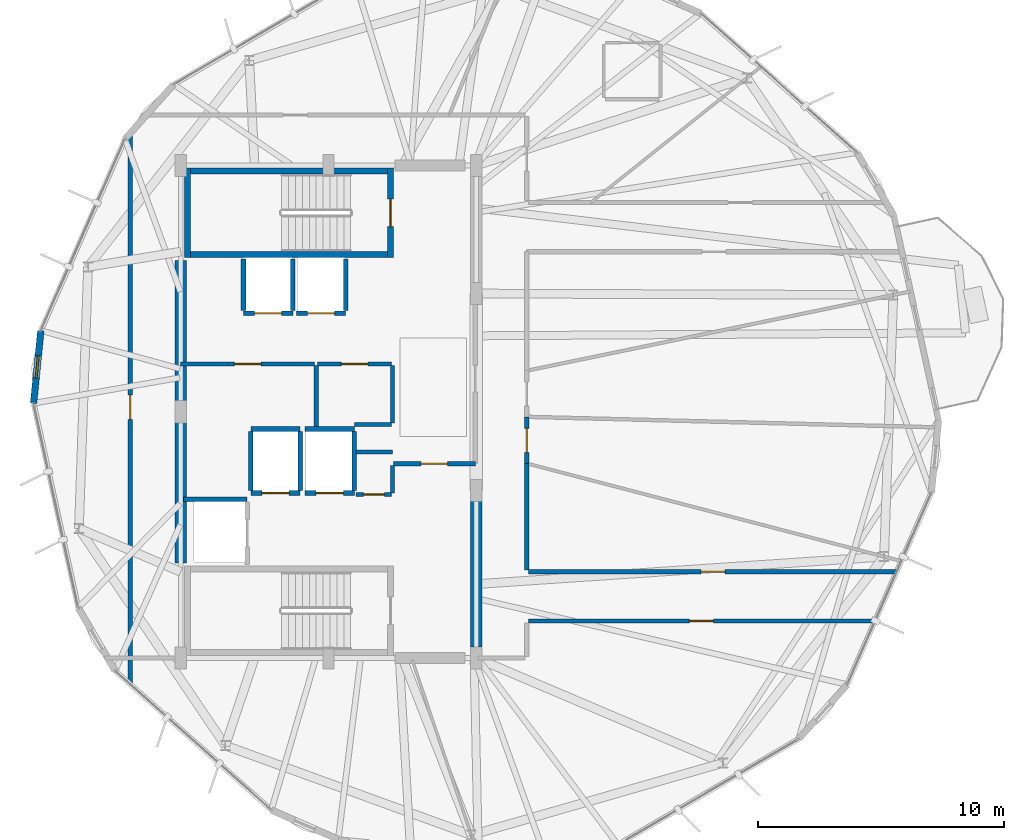
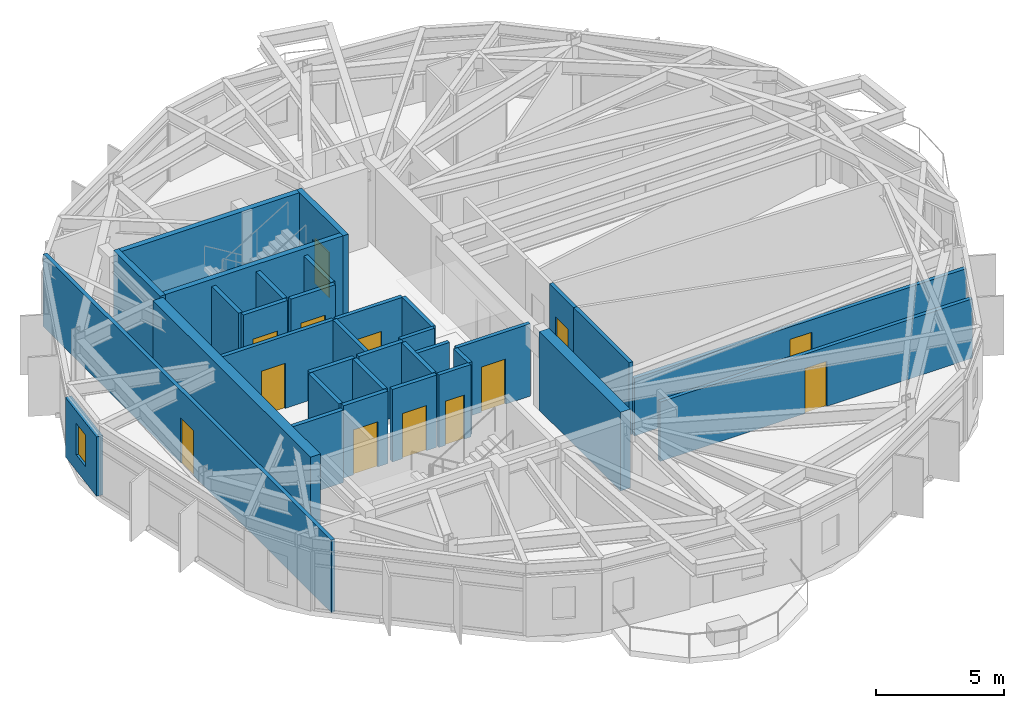
# One storey, part 20 of 25: 34 walls, 13 doors, 1 window, 14 openings.
"""IFC4 building model written with IfcOpenShell, lengths in metres."""

from ifc_helpers import new_model, si_unit, direction, frame, frame_2d, origin, place, context, subcontext, project, spatial, rectangle, extrude, material, layer, layer_set, type_object, element, fill, save


model = new_model("IFC4")

# Units and contexts
model_context = context("Model", 3, precision=1e-05, world=origin(), true_north=direction((0.0, 1.0)))
body_context = subcontext(model_context, "Body", "Model", "MODEL_VIEW")
ifc_project = project(units=[si_unit("LENGTHUNIT", "METRE"), si_unit("AREAUNIT", "SQUARE_METRE"), si_unit("VOLUMEUNIT", "CUBIC_METRE"), si_unit("PLANEANGLEUNIT", "RADIAN"), si_unit("MASSUNIT", "GRAM", prefix="KILO")], contexts=[model_context])

# Site, building, storey
site_placement = place(None, origin())
site = spatial("IfcSite", under=ifc_project, at=site_placement, CompositionType="ELEMENT")
building_placement = place(site_placement, origin())
building = spatial("IfcBuilding", under=site, at=building_placement, Name="Soratama Intermodal Tower", CompositionType="ELEMENT")
storey_placement = place(building_placement, frame((0.0, 0.0, 276.25)))
storey = spatial("IfcBuildingStorey", under=building, at=storey_placement, Name="L70", CompositionType="ELEMENT", Elevation=276.25)

# Wall, opening, window
ifc_material_1 = material(Name="Concrete f'c 42 MPa", Category="concrete")
ifc_layer_1 = layer(ifc_material_1, 0.27001953125)
ifc_layer_set_1 = layer_set([ifc_layer_1], Name="Concrete f'c 42 MPa")
wall_type_1 = type_object("IfcWallType", Name="EW-CRN-270", PredefinedType="SOLIDWALL", material=ifc_layer_set_1)
wall_1_placement = place(storey_placement, frame((26.919921875, 28.29541015625, 0.0), z_axis=(0.0, 0.0, 1.0), x_axis=(-0.099332604759, -0.995054286776, 0.0)))
wall_1 = element("IfcWall", 1, at=wall_1_placement, inside=storey, type_object=wall_type_1, Name="L70 Corner Closure Wall 03", PredefinedType="SOLIDWALL", context=body_context, shape_type="SweptSolid", body=[
    extrude(rectangle(XDim=2.966552734375, YDim=0.27001953125, at=frame_2d((1.4833984375, 0.0))), origin(), (0.0, 0.0, 1.0), 2.8291015625),
])
opening_1_placement = place(wall_1_placement, frame((1.033203125, 0.0, 0.75)))
opening_1 = element("IfcOpeningElement", 2, at=opening_1_placement, cuts=wall_1, Name="Opening WN-6", PredefinedType="OPENING", context=body_context, shape_type="SweptSolid", body=[
    extrude(rectangle(XDim=0.89990234375, YDim=1.5, at=frame_2d((0.449951171875, 0.75))), frame((0.0, 0.14501953125, 0.0), z_axis=(0.0, -1.0, 0.0), x_axis=(1.0, 0.0, 0.0)), (0.0, 0.0, 1.0), 0.2900390625),
])
ifc_material_2 = material(Name="Double-glazed aluminium window", Category="aluminium")
window_type = type_object("IfcWindowType", Name="WN-FAC-900", PartitioningType="SINGLE_PANEL", PredefinedType="WINDOW", material=ifc_material_2)
window_placement = place(opening_1_placement, origin())
window = element("IfcWindow", 3, at=window_placement, inside=storey, type_object=window_type, Name="L70 Corner Window 03", OverallHeight=1.5, OverallWidth=0.89990234375, PartitioningType="SINGLE_PANEL", PredefinedType="WINDOW", context=body_context, shape_type="SweptSolid", body=[
    extrude(rectangle(XDim=0.89990234375, YDim=1.5, at=frame_2d((0.449951171875, 0.75))), frame((0.0, 0.030029296875, 0.0), z_axis=(0.0, -1.0, 0.0), x_axis=(1.0, 0.0, 0.0)), (0.0, 0.0, 1.0), 0.06005859375),
])
fill(opening_1, window)

# Wall, opening, door
ifc_material_3 = material(Name="Fire-rated gypsum stud partition", Category="concrete")
ifc_layer_2 = layer(ifc_material_3, 0.169921875)
ifc_layer_set_2 = layer_set([ifc_layer_2], Name="Fire-rated gypsum stud partition")
wall_type_2 = type_object("IfcWallType", Name="IW-PART-R170", PredefinedType="PARTITIONING", material=ifc_layer_set_2)
wall_2_placement = place(storey_placement, frame((30.550048828125, 13.927001953125, 0.0), z_axis=(0.0, 0.0, 1.0), x_axis=(0.0, 1.0, 0.0)))
wall_2 = element("IfcWall", 4, at=wall_2_placement, inside=storey, type_object=wall_type_2, Name="L70 Partition W-L70-TP001", PredefinedType="PARTITIONING", context=body_context, shape_type="SweptSolid", body=[
    extrude(rectangle(XDim=22.48388671875, YDim=0.169921875, at=frame_2d((11.241943359375, 0.0))), origin(), (0.0, 0.0, 1.0), 3.449951171875),
])
opening_2_placement = place(wall_2_placement, frame((10.76708984375, 0.0, 0.0)))
opening_2 = element("IfcOpeningElement", 5, at=opening_2_placement, cuts=wall_2, Name="Opening ID-5", PredefinedType="OPENING", context=body_context, shape_type="SweptSolid", body=[
    extrude(rectangle(XDim=0.97998046875, YDim=2.14990234375, at=frame_2d((0.489990234375, 1.074951171875))), frame((0.0, 0.094970703125, 0.0), z_axis=(0.0, -1.0, 0.0), x_axis=(1.0, 0.0, 0.0)), (0.0, 0.0, 1.0), 0.18994140625),
])
ifc_material_4 = material(Name="Solid hardwood acoustic door", Category="wood")
door_type_1 = type_object("IfcDoorType", Name="DR-OFF-980", OperationType="NOTDEFINED", PredefinedType="DOOR", material=ifc_material_4)
door_1_placement = place(opening_2_placement, origin())
door_1 = element("IfcDoor", 6, at=door_1_placement, inside=storey, type_object=door_type_1, Name="L70 Door D-L70-TP001", OperationType="SINGLE_SWING_RIGHT", OverallHeight=2.14990234375, OverallWidth=0.97998046875, PredefinedType="DOOR", context=body_context, shape_type="SweptSolid", body=[
    extrude(rectangle(XDim=0.97998046875, YDim=2.14990234375, at=frame_2d((0.489990234375, 1.074951171875))), frame((0.0, 0.02490234375, 0.0), z_axis=(0.0, -1.0, 0.0), x_axis=(1.0, 0.0, 0.0)), (0.0, 0.0, 1.0), 0.050048828125),
])
fill(opening_2, door_1)

wall_3_placement = place(storey_placement, frame((46.719970703125, 18.5, 0.0), z_axis=(0.0, 0.0, 1.0), x_axis=(1.0, 0.0, 0.0)))
wall_3 = element("IfcWall", 7, at=wall_3_placement, inside=storey, type_object=wall_type_2, Name="L70 Partition W-L70-TP006", PredefinedType="PARTITIONING", context=body_context, shape_type="SweptSolid", body=[
    extrude(rectangle(XDim=14.953125, YDim=0.169921875, at=frame_2d((7.4765625, 0.0))), origin(), (0.0, 0.0, 1.0), 2.7451171875),
])
opening_3_placement = place(wall_3_placement, frame((7.001953125, 0.0, 0.0)))
opening_3 = element("IfcOpeningElement", 8, at=opening_3_placement, cuts=wall_3, Name="Opening ID-5", PredefinedType="OPENING", context=body_context, shape_type="SweptSolid", body=[
    extrude(rectangle(XDim=0.97998046875, YDim=2.14990234375, at=frame_2d((0.489990234375, 1.074951171875))), frame((0.0, 0.094970703125, 0.0), z_axis=(0.0, -1.0, 0.0), x_axis=(1.0, 0.0, 0.0)), (0.0, 0.0, 1.0), 0.18994140625),
])
door_2_placement = place(opening_3_placement, origin())
door_2 = element("IfcDoor", 9, at=door_2_placement, inside=storey, type_object=door_type_1, Name="L70 Door D-L70-TP003", OperationType="SINGLE_SWING_RIGHT", OverallHeight=2.14990234375, OverallWidth=0.97998046875, PredefinedType="DOOR", context=body_context, shape_type="SweptSolid", body=[
    extrude(rectangle(XDim=0.97998046875, YDim=2.14990234375, at=frame_2d((0.489990234375, 1.074951171875))), frame((0.0, 0.02490234375, 0.0), z_axis=(0.0, -1.0, 0.0), x_axis=(1.0, 0.0, 0.0)), (0.0, 0.0, 1.0), 0.050048828125),
])
fill(opening_3, door_2)

wall_4_placement = place(storey_placement, frame((60.794921875, 16.5, 0.0), z_axis=(0.0, 0.0, 1.0), x_axis=(-1.0, 0.0, 0.0)))
wall_4 = element("IfcWall", 10, at=wall_4_placement, inside=storey, type_object=wall_type_2, Name="L70 Partition W-L70-TP007", PredefinedType="PARTITIONING", context=body_context, shape_type="SweptSolid", body=[
    extrude(rectangle(XDim=14.074951171875, YDim=0.169921875, at=frame_2d((7.03759765625, 0.0))), origin(), (0.0, 0.0, 1.0), 2.827880859375),
])
opening_4_placement = place(wall_4_placement, frame((6.56298828125, 0.0, 0.0)))
opening_4 = element("IfcOpeningElement", 11, at=opening_4_placement, cuts=wall_4, Name="Opening ID-5", PredefinedType="OPENING", context=body_context, shape_type="SweptSolid", body=[
    extrude(rectangle(XDim=0.97998046875, YDim=2.14990234375, at=frame_2d((0.489990234375, 1.074951171875))), frame((0.0, 0.094970703125, 0.0), z_axis=(0.0, -1.0, 0.0), x_axis=(1.0, 0.0, 0.0)), (0.0, 0.0, 1.0), 0.18994140625),
])
door_3_placement = place(opening_4_placement, origin())
door_3 = element("IfcDoor", 12, at=door_3_placement, inside=storey, type_object=door_type_1, Name="L70 Door D-L70-TP004", OperationType="SINGLE_SWING_LEFT", OverallHeight=2.14990234375, OverallWidth=0.97998046875, PredefinedType="DOOR", context=body_context, shape_type="SweptSolid", body=[
    extrude(rectangle(XDim=0.97998046875, YDim=2.14990234375, at=frame_2d((0.489990234375, 1.074951171875))), frame((0.0, 0.02490234375, 0.0), z_axis=(0.0, -1.0, 0.0), x_axis=(1.0, 0.0, 0.0)), (0.0, 0.0, 1.0), 0.050048828125),
])
fill(opening_4, door_3)

wall_5_placement = place(storey_placement, frame((38.0400390625, 26.93994140625, 0.0), z_axis=(0.0, 0.0, 1.0), x_axis=(-1.0, 0.0, 0.0)))
wall_5 = element("IfcWall", 13, at=wall_5_placement, inside=storey, type_object=wall_type_2, Name="L70 Partition W-L70-TP014", PredefinedType="PARTITIONING", context=body_context, shape_type="SweptSolid", body=[
    extrude(rectangle(XDim=5.43994140625, YDim=0.169921875, at=frame_2d((2.719970703125, 0.0))), origin(), (0.0, 0.0, 1.0), 3.449951171875),
])
opening_5_placement = place(wall_5_placement, frame((2.179931640625, 0.0, 0.0)))
opening_5 = element("IfcOpeningElement", 14, at=opening_5_placement, cuts=wall_5, Name="Opening ID-1", PredefinedType="OPENING", context=body_context, shape_type="SweptSolid", body=[
    extrude(rectangle(XDim=1.080078125, YDim=2.14990234375, at=frame_2d((0.5400390625, 1.074951171875))), frame((0.0, 0.094970703125, 0.0), z_axis=(0.0, -1.0, 0.0), x_axis=(1.0, 0.0, 0.0)), (0.0, 0.0, 1.0), 0.18994140625),
])
ifc_material_5 = material(Name="Solid hardwood acoustic door", Category="wood")
door_type_2 = type_object("IfcDoorType", Name="DR-LOB-FD60", OperationType="NOTDEFINED", PredefinedType="DOOR", material=ifc_material_5)
door_4_placement = place(opening_5_placement, origin())
door_4 = element("IfcDoor", 15, at=door_4_placement, inside=storey, type_object=door_type_2, Name="L70 Door D-L70-TP008", OperationType="SINGLE_SWING_LEFT", OverallHeight=2.14990234375, OverallWidth=1.080078125, PredefinedType="DOOR", context=body_context, shape_type="SweptSolid", body=[
    extrude(rectangle(XDim=1.080078125, YDim=2.14990234375, at=frame_2d((0.5400390625, 1.074951171875))), frame((0.0, 0.02490234375, 0.0), z_axis=(0.0, -1.0, 0.0), x_axis=(1.0, 0.0, 0.0)), (0.0, 0.0, 1.0), 0.050048828125),
])
fill(opening_5, door_4)

# Wall
wall_6_placement = place(storey_placement, frame((46.64990234375, 22.90087890625, 0.0), z_axis=(0.0, 0.0, 1.0), x_axis=(0.0, -1.0, 0.0)))
element("IfcWall", 16, at=wall_6_placement, inside=storey, type_object=wall_type_2, Name="L70 Partition W-L70-TP016", PredefinedType="PARTITIONING", context=body_context, shape_type="SweptSolid", body=[
    extrude(rectangle(XDim=4.330810546875, YDim=0.169921875, at=frame_2d((2.16552734375, 0.0))), origin(), (0.0, 0.0, 1.0), 3.449951171875),
])

# Wall, opening, door
wall_7_placement = place(storey_placement, frame((41.239990234375, 22.889892578125, 0.0), z_axis=(0.0, 0.0, 1.0), x_axis=(1.0, 0.0, 0.0)))
wall_7 = element("IfcWall", 17, at=wall_7_placement, inside=storey, type_object=wall_type_2, Name="L70 Partition W-L70-TP018", PredefinedType="PARTITIONING", context=body_context, shape_type="SweptSolid", body=[
    extrude(rectangle(XDim=3.320068359375, YDim=0.169921875, at=frame_2d((1.66015625, 0.0))), origin(), (0.0, 0.0, 1.0), 3.449951171875),
])
opening_6_placement = place(wall_7_placement, frame((1.1201171875, 0.0, 0.0)))
opening_6 = element("IfcOpeningElement", 18, at=opening_6_placement, cuts=wall_7, Name="Opening ID-0", PredefinedType="OPENING", context=body_context, shape_type="SweptSolid", body=[
    extrude(rectangle(XDim=1.080078125, YDim=2.14990234375, at=frame_2d((0.5400390625, 1.074951171875))), frame((0.0, 0.094970703125, 0.0), z_axis=(0.0, -1.0, 0.0), x_axis=(1.0, 0.0, 0.0)), (0.0, 0.0, 1.0), 0.18994140625),
])
ifc_material_6 = material(Name="Solid hardwood acoustic door", Category="wood")
door_type_3 = type_object("IfcDoorType", Name="DR-LOB-FD90", OperationType="NOTDEFINED", PredefinedType="DOOR", material=ifc_material_6)
door_5_placement = place(opening_6_placement, origin())
door_5 = element("IfcDoor", 19, at=door_5_placement, inside=storey, type_object=door_type_3, Name="L70 Door D-L70-TP010", OperationType="SINGLE_SWING_LEFT", OverallHeight=2.14990234375, OverallWidth=1.080078125, PredefinedType="DOOR", context=body_context, shape_type="SweptSolid", body=[
    extrude(rectangle(XDim=1.080078125, YDim=2.14990234375, at=frame_2d((0.5400390625, 1.074951171875))), frame((0.0, 0.02490234375, 0.0), z_axis=(0.0, -1.0, 0.0), x_axis=(1.0, 0.0, 0.0)), (0.0, 0.0, 1.0), 0.050048828125),
])
fill(opening_6, door_5)

wall_8_placement = place(storey_placement, frame((41.159912109375, 26.93994140625, 0.0), z_axis=(0.0, 0.0, 1.0), x_axis=(-1.0, 0.0, 0.0)))
wall_8 = element("IfcWall", 20, at=wall_8_placement, inside=storey, type_object=wall_type_2, Name="L70 Partition W-L70-TP021", PredefinedType="PARTITIONING", context=body_context, shape_type="SweptSolid", body=[
    extrude(rectangle(XDim=3.0, YDim=0.169921875, at=frame_2d((1.5, 0.0))), origin(), (0.0, 0.0, 1.0), 3.449951171875),
])
opening_7_placement = place(wall_8_placement, frame((0.9599609375, 0.0, 0.0)))
opening_7 = element("IfcOpeningElement", 21, at=opening_7_placement, cuts=wall_8, Name="Opening ID-1", PredefinedType="OPENING", context=body_context, shape_type="SweptSolid", body=[
    extrude(rectangle(XDim=1.080078125, YDim=2.14990234375, at=frame_2d((0.5400390625, 1.074951171875))), frame((0.0, 0.094970703125, 0.0), z_axis=(0.0, -1.0, 0.0), x_axis=(1.0, 0.0, 0.0)), (0.0, 0.0, 1.0), 0.18994140625),
])
door_6_placement = place(opening_7_placement, origin())
door_6 = element("IfcDoor", 22, at=door_6_placement, inside=storey, type_object=door_type_2, Name="L70 Door D-L70-TP011", OperationType="SINGLE_SWING_RIGHT", OverallHeight=2.14990234375, OverallWidth=1.080078125, PredefinedType="DOOR", context=body_context, shape_type="SweptSolid", body=[
    extrude(rectangle(XDim=1.080078125, YDim=2.14990234375, at=frame_2d((0.5400390625, 1.074951171875))), frame((0.0, 0.02490234375, 0.0), z_axis=(0.0, -1.0, 0.0), x_axis=(1.0, 0.0, 0.0)), (0.0, 0.0, 1.0), 0.050048828125),
])
fill(opening_7, door_6)

# Walls
wall_9_placement = place(storey_placement, frame((38.10009765625, 26.8798828125, 0.0), z_axis=(0.0, 0.0, 1.0), x_axis=(0.0, -1.0, 0.0)))
element("IfcWall", 23, at=wall_9_placement, inside=storey, type_object=wall_type_2, Name="L70 Partition W-L70-TP022", PredefinedType="PARTITIONING", context=body_context, shape_type="SweptSolid", body=[
    extrude(rectangle(XDim=2.579833984375, YDim=0.169921875, at=frame_2d((1.2900390625, 0.0))), origin(), (0.0, 0.0, 1.0), 3.449951171875),
])
wall_10_placement = place(storey_placement, frame((41.199951171875, 24.550048828125, 0.0), z_axis=(0.0, 0.0, 1.0), x_axis=(0.0, 1.0, 0.0)))
element("IfcWall", 24, at=wall_10_placement, inside=storey, type_object=wall_type_2, Name="L70 Partition W-L70-TP024", PredefinedType="PARTITIONING", context=body_context, shape_type="SweptSolid", body=[
    extrude(rectangle(XDim=2.329833984375, YDim=0.169921875, at=frame_2d((1.1650390625, 0.0))), origin(), (0.0, 0.0, 1.0), 3.449951171875),
])

# Wall, opening, door
wall_11_placement = place(storey_placement, frame((46.64990234375, 24.7939453125, 0.0), z_axis=(0.0, 0.0, 1.0), x_axis=(0.0, -1.0, 0.0)))
wall_11 = element("IfcWall", 25, at=wall_11_placement, inside=storey, type_object=wall_type_2, Name="L70 Partition W-L70-TP030", PredefinedType="PARTITIONING", context=body_context, shape_type="SweptSolid", body=[
    extrude(rectangle(XDim=1.89306640625, YDim=0.169921875, at=frame_2d((0.946533203125, 0.0))), origin(), (0.0, 0.0, 1.0), 3.449951171875),
])
opening_8_placement = place(wall_11_placement, frame((0.471923828125, 0.0, 0.0)))
opening_8 = element("IfcOpeningElement", 26, at=opening_8_placement, cuts=wall_11, Name="Opening ID-5", PredefinedType="OPENING", context=body_context, shape_type="SweptSolid", body=[
    extrude(rectangle(XDim=0.97998046875, YDim=2.14990234375, at=frame_2d((0.489990234375, 1.074951171875))), frame((0.0, 0.094970703125, 0.0), z_axis=(0.0, -1.0, 0.0), x_axis=(1.0, 0.0, 0.0)), (0.0, 0.0, 1.0), 0.18994140625),
])
door_7_placement = place(opening_8_placement, origin())
door_7 = element("IfcDoor", 27, at=door_7_placement, inside=storey, type_object=door_type_1, Name="L70 Door D-L70-TP013", OperationType="SINGLE_SWING_RIGHT", OverallHeight=2.14990234375, OverallWidth=0.97998046875, PredefinedType="DOOR", context=body_context, shape_type="SweptSolid", body=[
    extrude(rectangle(XDim=0.97998046875, YDim=2.14990234375, at=frame_2d((0.489990234375, 1.074951171875))), frame((0.0, 0.02490234375, 0.0), z_axis=(0.0, -1.0, 0.0), x_axis=(1.0, 0.0, 0.0)), (0.0, 0.0, 1.0), 0.050048828125),
])
fill(opening_8, door_7)

# Wall
wall_12_placement = place(storey_placement, frame((39.64990234375, 24.485107421875, 0.0), z_axis=(0.0, 0.0, 1.0), x_axis=(1.0, 0.0, 0.0)))
element("IfcWall", 28, at=wall_12_placement, inside=storey, type_object=wall_type_2, Name="L70 Partition W-L70-TP032", PredefinedType="PARTITIONING", context=body_context, shape_type="SweptSolid", body=[
    extrude(rectangle(XDim=1.510009765625, YDim=0.169921875, at=frame_2d((0.7548828125, 0.0))), origin(), (0.0, 0.0, 1.0), 3.449951171875),
])

# Wall, opening, door
wall_13_placement = place(storey_placement, frame((39.719970703125, 21.639892578125, 0.0), z_axis=(0.0, 0.0, 1.0), x_axis=(1.0, 0.0, 0.0)))
wall_13 = element("IfcWall", 29, at=wall_13_placement, inside=storey, type_object=wall_type_2, Name="L70 Partition W-L70-TP033", PredefinedType="PARTITIONING", context=body_context, shape_type="SweptSolid", body=[
    extrude(rectangle(XDim=1.43994140625, YDim=0.169921875, at=frame_2d((0.719970703125, 0.0))), origin(), (0.0, 0.0, 1.0), 3.449951171875),
])
opening_9_placement = place(wall_13_placement, frame((0.294921875, 0.0, 0.0)))
opening_9 = element("IfcOpeningElement", 30, at=opening_9_placement, cuts=wall_13, Name="Opening ID-4", PredefinedType="OPENING", context=body_context, shape_type="SweptSolid", body=[
    extrude(rectangle(XDim=0.85009765625, YDim=2.10009765625, at=frame_2d((0.425048828125, 1.050048828125))), frame((0.0, 0.094970703125, 0.0), z_axis=(0.0, -1.0, 0.0), x_axis=(1.0, 0.0, 0.0)), (0.0, 0.0, 1.0), 0.18994140625),
])
ifc_material_7 = material(Name="Solid hardwood acoustic door", Category="wood")
door_type_4 = type_object("IfcDoorType", Name="DR-BATH-850", OperationType="NOTDEFINED", PredefinedType="DOOR", material=ifc_material_7)
door_8_placement = place(opening_9_placement, origin())
door_8 = element("IfcDoor", 31, at=door_8_placement, inside=storey, type_object=door_type_4, Name="L70 Door D-L70-TP015", OperationType="SINGLE_SWING_RIGHT", OverallHeight=2.10009765625, OverallWidth=0.85009765625, PredefinedType="DOOR", context=body_context, shape_type="SweptSolid", body=[
    extrude(rectangle(XDim=0.85009765625, YDim=2.10009765625, at=frame_2d((0.425048828125, 1.050048828125))), frame((0.0, 0.02490234375, 0.0), z_axis=(0.0, -1.0, 0.0), x_axis=(1.0, 0.0, 0.0)), (0.0, 0.0, 1.0), 0.050048828125),
])
fill(opening_9, door_8)

# Walls
wall_14_placement = place(storey_placement, frame((41.199951171875, 21.699951171875, 0.0), z_axis=(0.0, 0.0, 1.0), x_axis=(0.0, 1.0, 0.0)))
element("IfcWall", 32, at=wall_14_placement, inside=storey, type_object=wall_type_2, Name="L70 Partition W-L70-TP035", PredefinedType="PARTITIONING", context=body_context, shape_type="SweptSolid", body=[
    extrude(rectangle(XDim=1.1201171875, YDim=0.169921875, at=frame_2d((0.56005859375, 0.0))), origin(), (0.0, 0.0, 1.0), 3.449951171875),
])
wall_15_placement = place(storey_placement, frame((41.199951171875, 23.360107421875, 0.0), z_axis=(0.0, 0.0, 1.0), x_axis=(-1.0, 0.0, 0.0)))
element("IfcWall", 33, at=wall_15_placement, inside=storey, type_object=wall_type_2, Name="L70 Partition W-L70-TP036", PredefinedType="PARTITIONING", context=body_context, shape_type="SweptSolid", body=[
    extrude(rectangle(XDim=1.47998046875, YDim=0.169921875, at=frame_2d((0.739990234375, 0.0))), origin(), (0.0, 0.0, 1.0), 3.449951171875),
])

# Wall, opening, door
ifc_material_8 = material(Name="Concrete f'c 42 MPa", Category="concrete")
ifc_layer_3 = layer(ifc_material_8, 0.18505859375)
ifc_layer_set_3 = layer_set([ifc_layer_3], Name="Concrete f'c 42 MPa")
wall_type_3 = type_object("IfcWallType", Name="IW-SHAFT-185", PredefinedType="SOLIDWALL", material=ifc_layer_set_3)
wall_16_placement = place(storey_placement, frame((35.449951171875, 21.699951171875, 0.0), z_axis=(0.0, 0.0, 1.0), x_axis=(1.0, 0.0, 0.0)))
wall_16 = element("IfcWall", 34, at=wall_16_placement, inside=storey, type_object=wall_type_3, Name="L70 FFL-1 Hoistway Wall S", PredefinedType="SOLIDWALL", context=body_context, shape_type="SweptSolid", body=[
    extrude(rectangle(XDim=2.0, YDim=0.18505859375, at=frame_2d((1.0, 0.0))), origin(), (0.0, 0.0, 1.0), 3.449951171875),
])
opening_10_placement = place(wall_16_placement, frame((0.449951171875, 0.0, 0.0)))
opening_10 = element("IfcOpeningElement", 35, at=opening_10_placement, cuts=wall_16, Name="Opening LD-1", PredefinedType="OPENING", context=body_context, shape_type="SweptSolid", body=[
    extrude(rectangle(XDim=1.10009765625, YDim=2.14990234375, at=frame_2d((0.550048828125, 1.074951171875))), frame((0.0, 0.1025390625, 0.0), z_axis=(0.0, -1.0, 0.0), x_axis=(1.0, 0.0, 0.0)), (0.0, 0.0, 1.0), 0.205078125),
])
ifc_material_9 = material(Name="Steel fire door", Category="steel")
door_type_5 = type_object("IfcDoorType", Name="DR-LIFT-SLIDE", OperationType="NOTDEFINED", PredefinedType="DOOR", material=ifc_material_9)
door_9_placement = place(opening_10_placement, origin())
door_9 = element("IfcDoor", 36, at=door_9_placement, inside=storey, type_object=door_type_5, Name="L70 FFL-1 Sliding Landing Door", OperationType="SLIDING_TO_LEFT", OverallHeight=2.14990234375, OverallWidth=1.10009765625, PredefinedType="DOOR", context=body_context, shape_type="SweptSolid", body=[
    extrude(rectangle(XDim=1.10009765625, YDim=2.14990234375, at=frame_2d((0.550048828125, 1.074951171875))), frame((0.0, 0.02490234375, 0.0), z_axis=(0.0, -1.0, 0.0), x_axis=(1.0, 0.0, 0.0)), (0.0, 0.0, 1.0), 0.050048828125),
])
fill(opening_10, door_9)

# Walls
wall_17_placement = place(storey_placement, frame((35.449951171875, 24.300048828125, 0.0), z_axis=(0.0, 0.0, 1.0), x_axis=(1.0, 0.0, 0.0)))
element("IfcWall", 37, at=wall_17_placement, inside=storey, type_object=wall_type_3, Name="L70 FFL-1 Hoistway Wall N", PredefinedType="SOLIDWALL", context=body_context, shape_type="SweptSolid", body=[
    extrude(rectangle(XDim=2.0, YDim=0.18505859375, at=frame_2d((1.0, 0.0))), origin(), (0.0, 0.0, 1.0), 3.449951171875),
])
for number, where, z_axis, x_axis, name in (
    (38, (35.449951171875, 21.81005859375, 0.0), (0.0, 0.0, 1.0), (0.0, 1.0, 0.0), "L70 FFL-1 Hoistway Wall W"),
    (39, (37.449951171875, 21.81005859375, 0.0), (0.0, 0.0, 1.0), (0.0, 1.0, 0.0), "L70 FFL-1 Hoistway Wall E"),
):
    element("IfcWall", number, at=place(storey_placement, frame(where, z_axis=z_axis, x_axis=x_axis)), inside=storey, type_object=wall_type_3, Name=name, PredefinedType="SOLIDWALL", context=body_context, shape_type="SweptSolid", body=[
        extrude(rectangle(XDim=2.3798828125, YDim=0.18505859375, at=frame_2d((1.18994140625, 0.0))), origin(), (0.0, 0.0, 1.0), 3.449951171875),
    ])

# Wall, opening, door
wall_18_placement = place(storey_placement, frame((37.64990234375, 21.699951171875, 0.0), z_axis=(0.0, 0.0, 1.0), x_axis=(1.0, 0.0, 0.0)))
wall_18 = element("IfcWall", 40, at=wall_18_placement, inside=storey, type_object=wall_type_3, Name="L70 FFL-2 Hoistway Wall S", PredefinedType="SOLIDWALL", context=body_context, shape_type="SweptSolid", body=[
    extrude(rectangle(XDim=2.0, YDim=0.18505859375, at=frame_2d((1.0, 0.0))), origin(), (0.0, 0.0, 1.0), 3.449951171875),
])
opening_11_placement = place(wall_18_placement, frame((0.449951171875, 0.0, 0.0)))
opening_11 = element("IfcOpeningElement", 41, at=opening_11_placement, cuts=wall_18, Name="Opening LD-1", PredefinedType="OPENING", context=body_context, shape_type="SweptSolid", body=[
    extrude(rectangle(XDim=1.10009765625, YDim=2.14990234375, at=frame_2d((0.550048828125, 1.074951171875))), frame((0.0, 0.1025390625, 0.0), z_axis=(0.0, -1.0, 0.0), x_axis=(1.0, 0.0, 0.0)), (0.0, 0.0, 1.0), 0.205078125),
])
door_10_placement = place(opening_11_placement, origin())
door_10 = element("IfcDoor", 42, at=door_10_placement, inside=storey, type_object=door_type_5, Name="L70 FFL-2 Sliding Landing Door", OperationType="SLIDING_TO_LEFT", OverallHeight=2.14990234375, OverallWidth=1.10009765625, PredefinedType="DOOR", context=body_context, shape_type="SweptSolid", body=[
    extrude(rectangle(XDim=1.10009765625, YDim=2.14990234375, at=frame_2d((0.550048828125, 1.074951171875))), frame((0.0, 0.02490234375, 0.0), z_axis=(0.0, -1.0, 0.0), x_axis=(1.0, 0.0, 0.0)), (0.0, 0.0, 1.0), 0.050048828125),
])
fill(opening_11, door_10)

# Walls
wall_19_placement = place(storey_placement, frame((37.64990234375, 24.300048828125, 0.0), z_axis=(0.0, 0.0, 1.0), x_axis=(1.0, 0.0, 0.0)))
element("IfcWall", 43, at=wall_19_placement, inside=storey, type_object=wall_type_3, Name="L70 FFL-2 Hoistway Wall N", PredefinedType="SOLIDWALL", context=body_context, shape_type="SweptSolid", body=[
    extrude(rectangle(XDim=2.0, YDim=0.18505859375, at=frame_2d((1.0, 0.0))), origin(), (0.0, 0.0, 1.0), 3.449951171875),
])
wall_20_placement = place(storey_placement, frame((39.64990234375, 21.81005859375, 0.0), z_axis=(0.0, 0.0, 1.0), x_axis=(0.0, 1.0, 0.0)))
element("IfcWall", 44, at=wall_20_placement, inside=storey, type_object=wall_type_3, Name="L70 FFL-2 Hoistway Wall E", PredefinedType="SOLIDWALL", context=body_context, shape_type="SweptSolid", body=[
    extrude(rectangle(XDim=2.3798828125, YDim=0.18505859375, at=frame_2d((1.18994140625, 0.0))), origin(), (0.0, 0.0, 1.0), 3.449951171875),
])
wall_21_placement = place(storey_placement, frame((32.719970703125, 21.449951171875, 0.0), z_axis=(0.0, 0.0, 1.0), x_axis=(1.0, 0.0, 0.0)))
element("IfcWall", 45, at=wall_21_placement, inside=storey, type_object=wall_type_3, Name="L70 SVL-1 Hoistway Wall N", PredefinedType="SOLIDWALL", context=body_context, shape_type="SweptSolid", body=[
    extrude(rectangle(XDim=2.580078125, YDim=0.18505859375, at=frame_2d((1.2900390625, 0.0))), origin(), (0.0, 0.0, 1.0), 3.449951171875),
])

# Wall, opening, door
wall_22_placement = place(storey_placement, frame((35.14990234375, 29.0, 0.0), z_axis=(0.0, 0.0, 1.0), x_axis=(1.0, 0.0, 0.0)))
wall_22 = element("IfcWall", 46, at=wall_22_placement, inside=storey, type_object=wall_type_3, Name="L70 PL-H1 Hoistway Wall S", PredefinedType="SOLIDWALL", context=body_context, shape_type="SweptSolid", body=[
    extrude(rectangle(XDim=2.0, YDim=0.18505859375, at=frame_2d((1.0, 0.0))), origin(), (0.0, 0.0, 1.0), 3.449951171875),
])
opening_12_placement = place(wall_22_placement, frame((0.449951171875, 0.0, 0.0)))
opening_12 = element("IfcOpeningElement", 47, at=opening_12_placement, cuts=wall_22, Name="Opening LD-1", PredefinedType="OPENING", context=body_context, shape_type="SweptSolid", body=[
    extrude(rectangle(XDim=1.10009765625, YDim=2.14990234375, at=frame_2d((0.550048828125, 1.074951171875))), frame((0.0, 0.1025390625, 0.0), z_axis=(0.0, -1.0, 0.0), x_axis=(1.0, 0.0, 0.0)), (0.0, 0.0, 1.0), 0.205078125),
])
door_11_placement = place(opening_12_placement, origin())
door_11 = element("IfcDoor", 48, at=door_11_placement, inside=storey, type_object=door_type_5, Name="L70 PL-H1 Sliding Landing Door", OperationType="SLIDING_TO_LEFT", OverallHeight=2.14990234375, OverallWidth=1.10009765625, PredefinedType="DOOR", context=body_context, shape_type="SweptSolid", body=[
    extrude(rectangle(XDim=1.10009765625, YDim=2.14990234375, at=frame_2d((0.550048828125, 1.074951171875))), frame((0.0, 0.02490234375, 0.0), z_axis=(0.0, -1.0, 0.0), x_axis=(1.0, 0.0, 0.0)), (0.0, 0.0, 1.0), 0.050048828125),
])
fill(opening_12, door_11)

# Walls
for number, where, z_axis, x_axis, name in (
    (49, (35.14990234375, 29.110107421875, 0.0), (0.0, 0.0, 1.0), (0.0, 1.0, 0.0), "L70 PL-H1 Hoistway Wall W"),
    (50, (37.14990234375, 29.110107421875, 0.0), (0.0, 0.0, 1.0), (0.0, 1.0, 0.0), "L70 PL-H1 Hoistway Wall E"),
):
    element("IfcWall", number, at=place(storey_placement, frame(where, z_axis=z_axis, x_axis=x_axis)), inside=storey, type_object=wall_type_3, Name=name, PredefinedType="SOLIDWALL", context=body_context, shape_type="SweptSolid", body=[
        extrude(rectangle(XDim=2.099853515625, YDim=0.18505859375, at=frame_2d((1.0498046875, 0.0))), origin(), (0.0, 0.0, 1.0), 3.449951171875),
    ])

# Wall, opening, door
wall_23_placement = place(storey_placement, frame((37.300048828125, 29.0, 0.0), z_axis=(0.0, 0.0, 1.0), x_axis=(1.0, 0.0, 0.0)))
wall_23 = element("IfcWall", 51, at=wall_23_placement, inside=storey, type_object=wall_type_3, Name="L70 PL-H2 Hoistway Wall S", PredefinedType="SOLIDWALL", context=body_context, shape_type="SweptSolid", body=[
    extrude(rectangle(XDim=2.0, YDim=0.18505859375, at=frame_2d((1.0, 0.0))), origin(), (0.0, 0.0, 1.0), 3.449951171875),
])
opening_13_placement = place(wall_23_placement, frame((0.449951171875, 0.0, 0.0)))
opening_13 = element("IfcOpeningElement", 52, at=opening_13_placement, cuts=wall_23, Name="Opening LD-1", PredefinedType="OPENING", context=body_context, shape_type="SweptSolid", body=[
    extrude(rectangle(XDim=1.10009765625, YDim=2.14990234375, at=frame_2d((0.550048828125, 1.074951171875))), frame((0.0, 0.1025390625, 0.0), z_axis=(0.0, -1.0, 0.0), x_axis=(1.0, 0.0, 0.0)), (0.0, 0.0, 1.0), 0.205078125),
])
door_12_placement = place(opening_13_placement, origin())
door_12 = element("IfcDoor", 53, at=door_12_placement, inside=storey, type_object=door_type_5, Name="L70 PL-H2 Sliding Landing Door", OperationType="SLIDING_TO_LEFT", OverallHeight=2.14990234375, OverallWidth=1.10009765625, PredefinedType="DOOR", context=body_context, shape_type="SweptSolid", body=[
    extrude(rectangle(XDim=1.10009765625, YDim=2.14990234375, at=frame_2d((0.550048828125, 1.074951171875))), frame((0.0, 0.02490234375, 0.0), z_axis=(0.0, -1.0, 0.0), x_axis=(1.0, 0.0, 0.0)), (0.0, 0.0, 1.0), 0.050048828125),
])
fill(opening_13, door_12)

# Walls
wall_24_placement = place(storey_placement, frame((39.300048828125, 29.110107421875, 0.0), z_axis=(0.0, 0.0, 1.0), x_axis=(0.0, 1.0, 0.0)))
element("IfcWall", 54, at=wall_24_placement, inside=storey, type_object=wall_type_3, Name="L70 PL-H2 Hoistway Wall E", PredefinedType="SOLIDWALL", context=body_context, shape_type="SweptSolid", body=[
    extrude(rectangle(XDim=2.099853515625, YDim=0.18505859375, at=frame_2d((1.0498046875, 0.0))), origin(), (0.0, 0.0, 1.0), 3.449951171875),
])
ifc_material_10 = material(Name="Concrete f'c 56 MPa", Category="concrete")
ifc_layer_4 = layer(ifc_material_10, 0.449951171875)
ifc_layer_set_4 = layer_set([ifc_layer_4], Name="Concrete f'c 56 MPa")
wall_type_4 = type_object("IfcWallType", Name="SW-CORE-450", PredefinedType="SHEAR", material=ifc_layer_set_4)
wall_25_placement = place(storey_placement, frame((32.60009765625, 18.85009765625, 0.0), z_axis=(0.0, 0.0, 1.0), x_axis=(0.0, 1.0, 0.0)))
element("IfcWall", 55, at=wall_25_placement, inside=storey, type_object=wall_type_4, Name="L70 Core Shear Wall CW-WMID", PredefinedType="SHEAR", context=body_context, shape_type="SweptSolid", body=[
    extrude(rectangle(XDim=12.2998046875, YDim=0.449951171875, at=frame_2d((6.14990234375, 0.0))), origin(), (0.0, 0.0, 1.0), 3.75),
])
wall_26_placement = place(storey_placement, frame((44.60009765625, 15.449951171875, 0.0), z_axis=(0.0, 0.0, 1.0), x_axis=(0.0, 1.0, 0.0)))
element("IfcWall", 56, at=wall_26_placement, inside=storey, type_object=wall_type_4, Name="L70 Core Shear Wall CW-ES", PredefinedType="SHEAR", context=body_context, shape_type="SweptSolid", body=[
    extrude(rectangle(XDim=6.35009765625, YDim=0.449951171875, at=frame_2d((3.175048828125, 0.0))), origin(), (0.0, 0.0, 1.0), 3.75),
])
ifc_material_11 = material(Name="Concrete f'c 56 MPa", Category="concrete")
ifc_layer_5 = layer(ifc_material_11, 0.239990234375)
ifc_layer_set_5 = layer_set([ifc_layer_5], Name="Concrete f'c 56 MPa")
wall_type_5 = type_object("IfcWallType", Name="SW-STAIR-240", PredefinedType="SHEAR", material=ifc_layer_set_5)
wall_27_placement = place(storey_placement, frame((32.8798828125, 31.260009765625, 0.0), z_axis=(0.0, 0.0, 1.0), x_axis=(0.0, 1.0, 0.0)))
element("IfcWall", 57, at=wall_27_placement, inside=storey, type_object=wall_type_5, Name="L70 ST-2 Shaft Shear Wall W", PredefinedType="SHEAR", context=body_context, shape_type="SweptSolid", body=[
    extrude(rectangle(XDim=3.6298828125, YDim=0.239990234375, at=frame_2d((1.81494140625, 0.0))), origin(), (0.0, 0.0, 1.0), 3.75),
])

# Wall, opening, door
wall_28_placement = place(storey_placement, frame((41.1201171875, 31.260009765625, 0.0), z_axis=(0.0, 0.0, 1.0), x_axis=(0.0, 1.0, 0.0)))
wall_28 = element("IfcWall", 58, at=wall_28_placement, inside=storey, type_object=wall_type_5, Name="L70 ST-2 Shaft Shear Wall E", PredefinedType="SHEAR", context=body_context, shape_type="SweptSolid", body=[
    extrude(rectangle(XDim=3.6298828125, YDim=0.239990234375, at=frame_2d((1.81494140625, 0.0))), origin(), (0.0, 0.0, 1.0), 3.75),
])
opening_14_placement = place(wall_28_placement, frame((1.2548828125, 0.0, 0.0)))
opening_14 = element("IfcOpeningElement", 59, at=opening_14_placement, cuts=wall_28, Name="Opening SD-1", PredefinedType="OPENING", context=body_context, shape_type="SweptSolid", body=[
    extrude(rectangle(XDim=1.1201171875, YDim=2.14990234375, at=frame_2d((0.56005859375, 1.074951171875))), frame((0.0, 0.1298828125, 0.0), z_axis=(0.0, -1.0, 0.0), x_axis=(1.0, 0.0, 0.0)), (0.0, 0.0, 1.0), 0.260009765625),
])
ifc_material_12 = material(Name="Steel fire door", Category="steel")
door_type_6 = type_object("IfcDoorType", Name="DR-STAIR-FD90", OperationType="NOTDEFINED", PredefinedType="DOOR", material=ifc_material_12)
door_13_placement = place(opening_14_placement, origin())
door_13 = element("IfcDoor", 60, at=door_13_placement, inside=storey, type_object=door_type_6, Name="L70 ST-2 Exit Stair Door", OperationType="SINGLE_SWING_RIGHT", OverallHeight=2.14990234375, OverallWidth=1.1201171875, PredefinedType="DOOR", context=body_context, shape_type="SweptSolid", body=[
    extrude(rectangle(XDim=1.1201171875, YDim=2.14990234375, at=frame_2d((0.56005859375, 1.074951171875))), frame((0.0, 0.02490234375, 0.0), z_axis=(0.0, -1.0, 0.0), x_axis=(1.0, 0.0, 0.0)), (0.0, 0.0, 1.0), 0.050048828125),
])
fill(opening_14, door_13)

# Walls
for number, where, z_axis, x_axis, name in (
    (61, (33.0, 31.3798828125, 0.0), (0.0, 0.0, 1.0), (1.0, 0.0, 0.0), "L70 ST-2 Shaft Shear Wall S"),
    (62, (33.0, 34.77001953125, 0.0), (0.0, 0.0, 1.0), (1.0, 0.0, 0.0), "L70 ST-2 Shaft Shear Wall N"),
):
    element("IfcWall", number, at=place(storey_placement, frame(where, z_axis=z_axis, x_axis=x_axis)), inside=storey, type_object=wall_type_5, Name=name, PredefinedType="SHEAR", context=body_context, shape_type="SweptSolid", body=[
        extrude(rectangle(XDim=8.0, YDim=0.239990234375, at=frame_2d((4.0, 0.0))), origin(), (0.0, 0.0, 1.0), 3.75),
    ])

save(model, "model.ifc")
